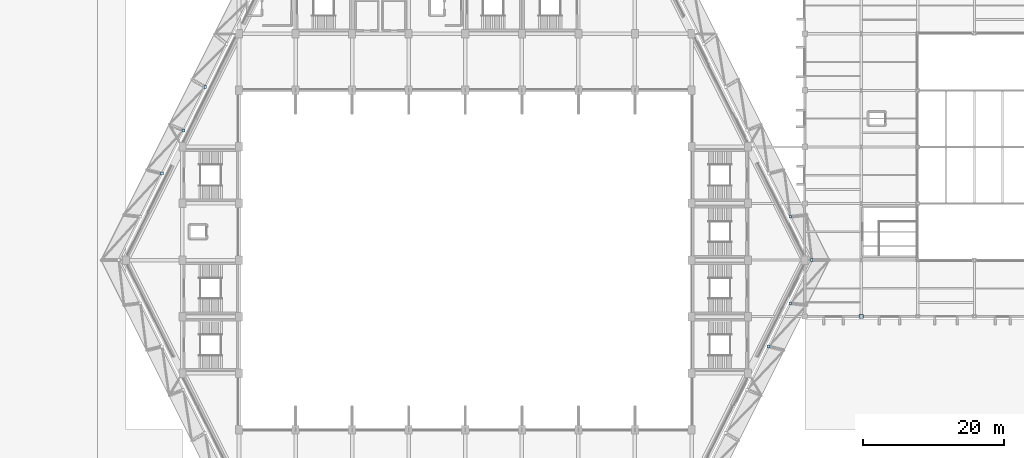
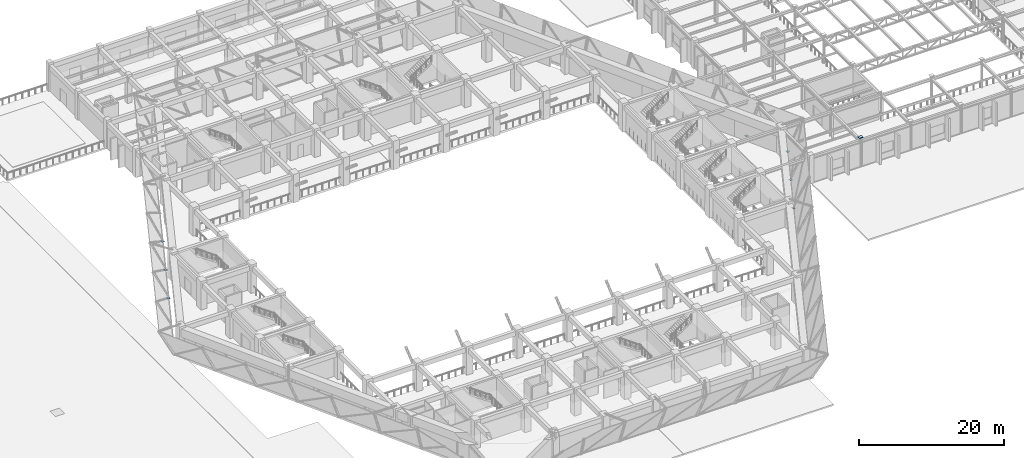
# One storey, part 24 of 46: 8 plates.
"""IFC4 building model written with IfcOpenShell, lengths in metres."""

from ifc_helpers import new_model, si_unit, direction, frame, origin, origin_2d, place, context, subcontext, project, spatial, rectangle, extrude, material, layer, layer_set, type_object, element, save


model = new_model("IFC4")

# Units and contexts
model_context = context("Model", 3, precision=1e-05, world=origin(), true_north=direction((0.0, 1.0)))
body_context = subcontext(model_context, "Body", "Model", "MODEL_VIEW")
ifc_project = project(units=[si_unit("LENGTHUNIT", "METRE"), si_unit("AREAUNIT", "SQUARE_METRE"), si_unit("VOLUMEUNIT", "CUBIC_METRE"), si_unit("PLANEANGLEUNIT", "RADIAN"), si_unit("MASSUNIT", "GRAM", prefix="KILO")], contexts=[model_context])

# Site, building, storey
site_placement = place(None, origin())
site = spatial("IfcSite", under=ifc_project, at=site_placement, CompositionType="ELEMENT")
building_placement = place(site_placement, origin())
building = spatial("IfcBuilding", under=site, at=building_placement, Name="Tazarka Park Arena", CompositionType="ELEMENT")
storey_placement = place(building_placement, frame((0.0, 0.0, 10.199951171875)))
storey = spatial("IfcBuildingStorey", under=building, at=storey_placement, Name="L02", CompositionType="ELEMENT", Elevation=10.199951171875)

# Plates
ifc_material_1 = material(Name="Steel S460", Category="steel")
ifc_layer_1 = layer(ifc_material_1, 0.030029296875, Name="Steel S460")
ifc_layer_set_1 = layer_set([ifc_layer_1], Name="Steel S460")
plate_type_1 = type_object("IfcPlateType", Name="PLT-PL-01", PredefinedType="SHEET", material=ifc_layer_set_1)
plate_placement = place(storey_placement, frame((144.0, 56.0, 4.7998046875), z_axis=(0.0, 0.0, 1.0), x_axis=(1.0, 0.0, 0.0)))
element("IfcPlate", 1, at=plate_placement, inside=storey, type_object=plate_type_1, Name="CPL-L02-18-07", PredefinedType="SHEET", context=body_context, shape_type="SweptSolid", body=[
    extrude(rectangle(XDim=0.6201171875, YDim=0.56005859375, at=origin_2d()), origin(), (0.0, 0.0, 1.0), 0.030029296875),
])
ifc_material_2 = material(Name="Steel S460", Category="steel")
ifc_layer_2 = layer(ifc_material_2, 0.02587890625, Name="Steel S460")
ifc_layer_set_2 = layer_set([ifc_layer_2], Name="Steel S460")
plate_type_2 = type_object("IfcPlateType", Name="PLT-PL-14", PredefinedType="USERDEFINED", material=ifc_layer_set_2)
for number, where, z_axis, x_axis, name in (
    (2, (130.893798828125, 51.77490234375, -0.012939453125), (0.0, 0.0, 1.0), (1.0, 0.0, 0.0), "GMP-B-14"),
    (3, (133.949951171875, 57.887451171875, -0.012939453125), (0.0, 0.0, 1.0), (1.0, 0.0, 0.0), "GMP-B-15"),
    (4, (137.006103515625, 64.0, -0.012939453125), (0.0, 0.0, 1.0), (1.0, 0.0, 0.0), "GMP-B-16"),
    (5, (133.949951171875, 70.112548828125, -0.012939453125), (0.0, 0.0, 1.0), (1.0, 0.0, 0.0), "GMP-B-17"),
    (6, (51.21875, 88.449951171875, -0.012939453125), (0.0, 0.0, 1.0), (1.0, 0.0, 0.0), "GMP-B-36"),
    (7, (48.16259765625, 82.33740234375, -0.012939453125), (0.0, 0.0, 1.0), (1.0, 0.0, 0.0), "GMP-B-37"),
    (8, (45.106201171875, 76.22509765625, -0.012939453125), (0.0, 0.0, 1.0), (1.0, 0.0, 0.0), "GMP-B-38"),
):
    element("IfcPlate", number, at=place(storey_placement, frame(where, z_axis=z_axis, x_axis=x_axis)), inside=storey, type_object=plate_type_2, Name=name, ObjectType="STIFFENER", PredefinedType="USERDEFINED", context=body_context, shape_type="SweptSolid", body=[
        extrude(rectangle(XDim=0.39990234375, YDim=0.39990234375, at=origin_2d()), origin(), (0.0, 0.0, 1.0), 0.02587890625),
    ])

save(model, "model.ifc")
